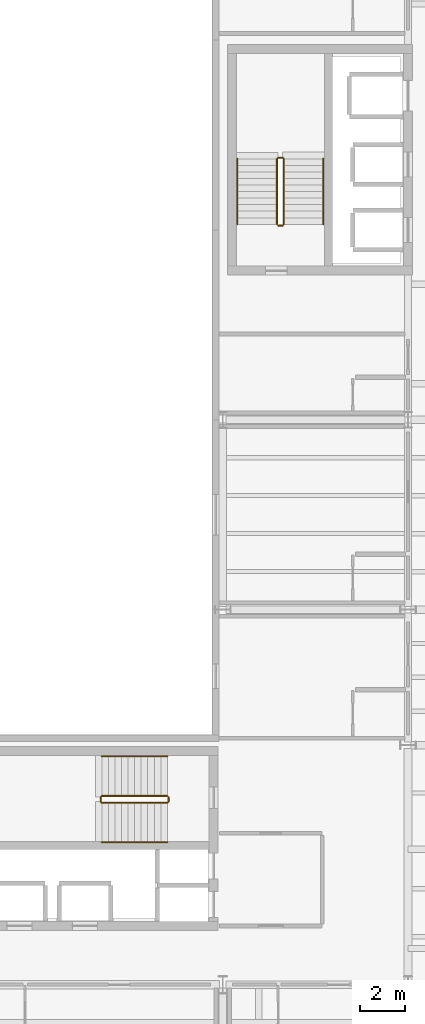
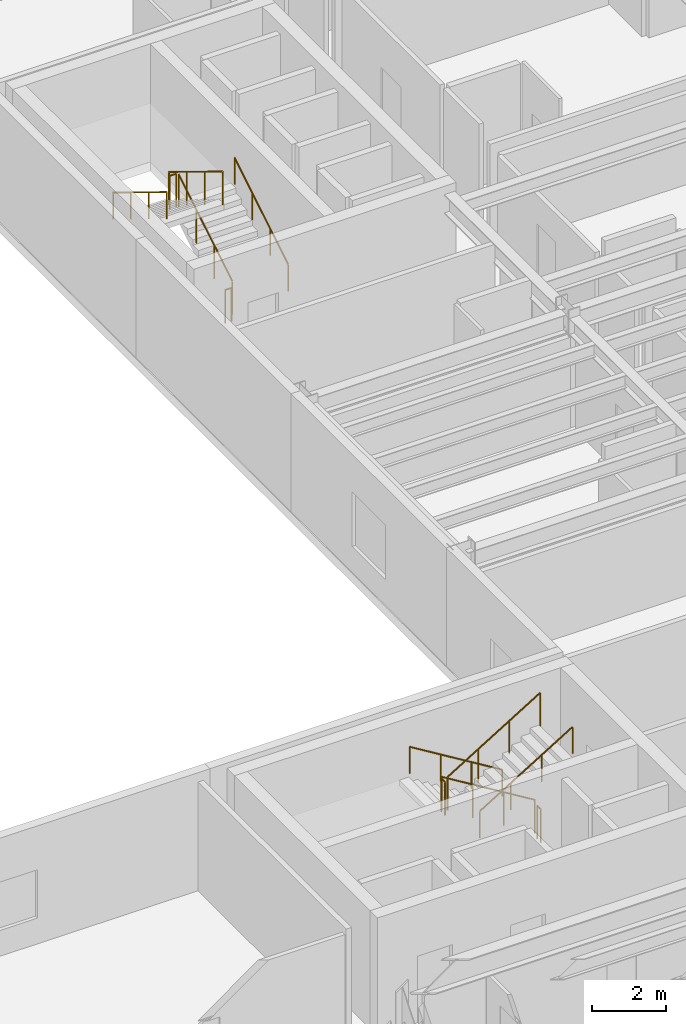
# One storey, part 59 of 59: 12 railings.
"""IFC4 building model written with IfcOpenShell, lengths in metres."""

from ifc_helpers import new_model, si_unit, direction, frame, origin, origin_2d, place, context, subcontext, project, spatial, circle, extrude, material, type_object, element, save


model = new_model("IFC4")

# Units and contexts
model_context = context("Model", 3, precision=1e-05, world=origin(), true_north=direction((0.0, 1.0)))
body_context = subcontext(model_context, "Body", "Model", "MODEL_VIEW")
ifc_project = project(units=[si_unit("LENGTHUNIT", "METRE"), si_unit("AREAUNIT", "SQUARE_METRE"), si_unit("VOLUMEUNIT", "CUBIC_METRE"), si_unit("PLANEANGLEUNIT", "RADIAN"), si_unit("MASSUNIT", "GRAM", prefix="KILO")], contexts=[model_context])

# Site, building, storey
site_placement = place(None, origin())
site = spatial("IfcSite", under=ifc_project, at=site_placement, CompositionType="ELEMENT")
building_placement = place(site_placement, origin())
building = spatial("IfcBuilding", under=site, at=building_placement, Name="Sollismere Congress Hotel", CompositionType="ELEMENT")
storey_placement = place(building_placement, frame((0.0, 0.0, 15.60009765625)))
storey = spatial("IfcBuildingStorey", under=building, at=storey_placement, Name="L03", CompositionType="ELEMENT", Elevation=15.60009765625)

# Railings
ifc_material_1 = material(Name="Steel ASTM A500 Grade C", Category="steel")
railing_type_1 = type_object("IfcRailingType", Name="RL-GRD112", PredefinedType="GUARDRAIL", material=ifc_material_1)
railing_1_placement = place(storey_placement, frame((144.75, 16.550048828125, 0.17724609375)))
element("IfcRailing", 1, at=railing_1_placement, inside=storey, type_object=railing_type_1, Name="RLG-RG-ST-01-L03-1", PredefinedType="GUARDRAIL", context=body_context, shape_type="SweptSolid", body=[
    extrude(circle(Radius=0.02392578125, at=origin_2d()), frame((0.0, 0.0, 1.09619140625), z_axis=(-0.853210801645, 0.0, 0.521566225858), x_axis=(0.0, -1.0, 0.0)), (0.0, 0.0, 1.0), 3.39892578125),
    extrude(circle(Radius=0.02099609375, at=origin_2d()), origin(), (0.0, 0.0, 1.0), 1.072021484375),
    extrude(circle(Radius=0.02099609375, at=origin_2d()), frame((-0.966552734375, 0.0, 0.5908203125)), (0.0, 0.0, 1.0), 1.072021484375),
    extrude(circle(Radius=0.02099609375, at=origin_2d()), frame((-1.933349609375, 0.0, 1.181884765625)), (0.0, 0.0, 1.0), 1.072021484375),
    extrude(circle(Radius=0.02099609375, at=origin_2d()), frame((-2.89990234375, 0.0, 1.772705078125)), (0.0, 0.0, 1.0), 1.072021484375),
])
railing_2_placement = place(storey_placement, frame((141.800048828125, 16.5, 1.949951171875)))
element("IfcRailing", 2, at=railing_2_placement, inside=storey, type_object=railing_type_1, Name="RLG-RG-ST-01-L03-2", PredefinedType="GUARDRAIL", context=body_context, shape_type="SweptSolid", body=[
    extrude(circle(Radius=0.02392578125, at=origin_2d()), frame((0.0, 0.0, 1.09619140625), z_axis=(0.0, -1.0, 0.0), x_axis=(1.0, 0.0, 0.0)), (0.0, 0.0, 1.0), 0.199951171875),
    extrude(circle(Radius=0.02099609375, at=origin_2d()), origin(), (0.0, 0.0, 1.0), 1.072021484375),
    extrude(circle(Radius=0.02099609375, at=origin_2d()), frame((0.0, -0.199951171875, 0.0)), (0.0, 0.0, 1.0), 1.072021484375),
])
railing_3_placement = place(storey_placement, frame((141.85009765625, 16.25, 2.127197265625)))
element("IfcRailing", 3, at=railing_3_placement, inside=storey, type_object=railing_type_1, Name="RLG-RG-ST-01-L03-3", PredefinedType="GUARDRAIL", context=body_context, shape_type="SweptSolid", body=[
    extrude(circle(Radius=0.02392578125, at=origin_2d()), frame((0.0, 0.0, 1.09619140625), z_axis=(0.853210801645, 0.0, 0.521566225858), x_axis=(0.0, 1.0, 0.0)), (0.0, 0.0, 1.0), 3.39892578125),
    extrude(circle(Radius=0.02099609375, at=origin_2d()), origin(), (0.0, 0.0, 1.0), 1.072021484375),
    extrude(circle(Radius=0.02099609375, at=origin_2d()), frame((0.966552734375, 0.0, 0.5908203125)), (0.0, 0.0, 1.0), 1.072021484375),
    extrude(circle(Radius=0.02099609375, at=origin_2d()), frame((1.933349609375, 0.0, 1.181884765625)), (0.0, 0.0, 1.0), 1.072021484375),
    extrude(circle(Radius=0.02099609375, at=origin_2d()), frame((2.89990234375, 0.0, 1.772705078125)), (0.0, 0.0, 1.0), 1.072021484375),
])
railing_4_placement = place(storey_placement, frame((144.800048828125, 16.5, 0.0)))
element("IfcRailing", 4, at=railing_4_placement, inside=storey, type_object=railing_type_1, Name="RLG-RG-ST-01-L03-4", PredefinedType="GUARDRAIL", context=body_context, shape_type="SweptSolid", body=[
    extrude(circle(Radius=0.02392578125, at=origin_2d()), frame((0.0, 0.0, 1.09619140625), z_axis=(0.0, -1.0, 0.0), x_axis=(1.0, 0.0, 0.0)), (0.0, 0.0, 1.0), 0.199951171875),
    extrude(circle(Radius=0.02099609375, at=origin_2d()), origin(), (0.0, 0.0, 1.0), 1.072021484375),
    extrude(circle(Radius=0.02099609375, at=origin_2d()), frame((0.0, -0.199951171875, 0.0)), (0.0, 0.0, 1.0), 1.072021484375),
])
railing_5_placement = place(storey_placement, frame((149.89990234375, 41.85009765625, 0.17724609375)))
element("IfcRailing", 5, at=railing_5_placement, inside=storey, type_object=railing_type_1, Name="RLG-RG-ST-03-L03-1", PredefinedType="GUARDRAIL", context=body_context, shape_type="SweptSolid", body=[
    extrude(circle(Radius=0.02392578125, at=origin_2d()), frame((0.0, 0.0, 1.09619140625), z_axis=(0.0, 0.853210801645, 0.521566225858), x_axis=(-1.0, 0.0, 0.0)), (0.0, 0.0, 1.0), 3.39892578125),
    extrude(circle(Radius=0.02099609375, at=origin_2d()), origin(), (0.0, 0.0, 1.0), 1.072021484375),
    extrude(circle(Radius=0.02099609375, at=origin_2d()), frame((0.0, 0.966552734375, 0.5908203125)), (0.0, 0.0, 1.0), 1.072021484375),
    extrude(circle(Radius=0.02099609375, at=origin_2d()), frame((0.0, 1.933349609375, 1.181884765625)), (0.0, 0.0, 1.0), 1.072021484375),
    extrude(circle(Radius=0.02099609375, at=origin_2d()), frame((0.0, 2.89990234375, 1.772705078125)), (0.0, 0.0, 1.0), 1.072021484375),
])
railing_6_placement = place(storey_placement, frame((149.85009765625, 44.800048828125, 1.949951171875)))
element("IfcRailing", 6, at=railing_6_placement, inside=storey, type_object=railing_type_1, Name="RLG-RG-ST-03-L03-2", PredefinedType="GUARDRAIL", context=body_context, shape_type="SweptSolid", body=[
    extrude(circle(Radius=0.02392578125, at=origin_2d()), frame((0.0, 0.0, 1.09619140625), z_axis=(-1.0, 0.0, 0.0), x_axis=(0.0, -1.0, 0.0)), (0.0, 0.0, 1.0), 0.2001953125),
    extrude(circle(Radius=0.02099609375, at=origin_2d()), origin(), (0.0, 0.0, 1.0), 1.072021484375),
    extrude(circle(Radius=0.02099609375, at=origin_2d()), frame((-0.2001953125, 0.0, 0.0)), (0.0, 0.0, 1.0), 1.072021484375),
])
railing_7_placement = place(storey_placement, frame((149.60009765625, 44.75, 2.127197265625)))
element("IfcRailing", 7, at=railing_7_placement, inside=storey, type_object=railing_type_1, Name="RLG-RG-ST-03-L03-3", PredefinedType="GUARDRAIL", context=body_context, shape_type="SweptSolid", body=[
    extrude(circle(Radius=0.02392578125, at=origin_2d()), frame((0.0, 0.0, 1.09619140625), z_axis=(0.0, -0.853210801645, 0.521566225858), x_axis=(1.0, 0.0, 0.0)), (0.0, 0.0, 1.0), 3.39892578125),
    extrude(circle(Radius=0.02099609375, at=origin_2d()), origin(), (0.0, 0.0, 1.0), 1.072021484375),
    extrude(circle(Radius=0.02099609375, at=origin_2d()), frame((0.0, -0.966552734375, 0.5908203125)), (0.0, 0.0, 1.0), 1.072021484375),
    extrude(circle(Radius=0.02099609375, at=origin_2d()), frame((0.0, -1.933349609375, 1.181884765625)), (0.0, 0.0, 1.0), 1.072021484375),
    extrude(circle(Radius=0.02099609375, at=origin_2d()), frame((0.0, -2.89990234375, 1.772705078125)), (0.0, 0.0, 1.0), 1.072021484375),
])
railing_8_placement = place(storey_placement, frame((149.85009765625, 41.800048828125, 0.0)))
element("IfcRailing", 8, at=railing_8_placement, inside=storey, type_object=railing_type_1, Name="RLG-RG-ST-03-L03-4", PredefinedType="GUARDRAIL", context=body_context, shape_type="SweptSolid", body=[
    extrude(circle(Radius=0.02392578125, at=origin_2d()), frame((0.0, 0.0, 1.09619140625), z_axis=(-1.0, 0.0, 0.0), x_axis=(0.0, -1.0, 0.0)), (0.0, 0.0, 1.0), 0.2001953125),
    extrude(circle(Radius=0.02099609375, at=origin_2d()), origin(), (0.0, 0.0, 1.0), 1.072021484375),
    extrude(circle(Radius=0.02099609375, at=origin_2d()), frame((-0.2001953125, 0.0, 0.0)), (0.0, 0.0, 1.0), 1.072021484375),
])
ifc_material_2 = material(Name="Brushed Architectural Bronze")
railing_type_2 = type_object("IfcRailingType", Name="RL-HND90", PredefinedType="HANDRAIL", material=ifc_material_2)
railing_9_placement = place(storey_placement, frame((144.75, 18.300048828125, 0.33056640625)))
element("IfcRailing", 9, at=railing_9_placement, inside=storey, type_object=railing_type_2, Name="RLG-RH-ST-01-L03-1", PredefinedType="HANDRAIL", context=body_context, shape_type="SweptSolid", body=[
    extrude(circle(Radius=0.02392578125, at=origin_2d()), frame((0.0, 0.0, 0.8759765625), z_axis=(-0.853210801645, 0.0, 0.521566225858), x_axis=(0.0, -1.0, 0.0)), (0.0, 0.0, 1.0), 3.39892578125),
    extrude(circle(Radius=0.02099609375, at=origin_2d()), origin(), (0.0, 0.0, 1.0), 0.851806640625),
    extrude(circle(Radius=0.02099609375, at=origin_2d()), frame((-0.966552734375, 0.0, 0.5908203125)), (0.0, 0.0, 1.0), 0.851806640625),
    extrude(circle(Radius=0.02099609375, at=origin_2d()), frame((-1.933349609375, 0.0, 1.181884765625)), (0.0, 0.0, 1.0), 0.851806640625),
    extrude(circle(Radius=0.02099609375, at=origin_2d()), frame((-2.89990234375, 0.0, 1.772705078125)), (0.0, 0.0, 1.0), 0.851806640625),
])
railing_10_placement = place(storey_placement, frame((141.85009765625, 14.5, 2.280517578125)))
element("IfcRailing", 10, at=railing_10_placement, inside=storey, type_object=railing_type_2, Name="RLG-RH-ST-01-L03-2", PredefinedType="HANDRAIL", context=body_context, shape_type="SweptSolid", body=[
    extrude(circle(Radius=0.02392578125, at=origin_2d()), frame((0.0, 0.0, 0.8759765625), z_axis=(0.853210801645, 0.0, 0.521566225858), x_axis=(0.0, 1.0, 0.0)), (0.0, 0.0, 1.0), 3.39892578125),
    extrude(circle(Radius=0.02099609375, at=origin_2d()), origin(), (0.0, 0.0, 1.0), 0.851806640625),
    extrude(circle(Radius=0.02099609375, at=origin_2d()), frame((0.966552734375, 0.0, 0.5908203125)), (0.0, 0.0, 1.0), 0.851806640625),
    extrude(circle(Radius=0.02099609375, at=origin_2d()), frame((1.933349609375, 0.0, 1.181884765625)), (0.0, 0.0, 1.0), 0.851806640625),
    extrude(circle(Radius=0.02099609375, at=origin_2d()), frame((2.89990234375, 0.0, 1.772705078125)), (0.0, 0.0, 1.0), 0.851806640625),
])
railing_11_placement = place(storey_placement, frame((151.64990234375, 41.85009765625, 0.33056640625)))
element("IfcRailing", 11, at=railing_11_placement, inside=storey, type_object=railing_type_2, Name="RLG-RH-ST-03-L03-1", PredefinedType="HANDRAIL", context=body_context, shape_type="SweptSolid", body=[
    extrude(circle(Radius=0.02392578125, at=origin_2d()), frame((0.0, 0.0, 0.8759765625), z_axis=(0.0, 0.853210801645, 0.521566225858), x_axis=(-1.0, 0.0, 0.0)), (0.0, 0.0, 1.0), 3.39892578125),
    extrude(circle(Radius=0.02099609375, at=origin_2d()), origin(), (0.0, 0.0, 1.0), 0.851806640625),
    extrude(circle(Radius=0.02099609375, at=origin_2d()), frame((0.0, 0.966552734375, 0.5908203125)), (0.0, 0.0, 1.0), 0.851806640625),
    extrude(circle(Radius=0.02099609375, at=origin_2d()), frame((0.0, 1.933349609375, 1.181884765625)), (0.0, 0.0, 1.0), 0.851806640625),
    extrude(circle(Radius=0.02099609375, at=origin_2d()), frame((0.0, 2.89990234375, 1.772705078125)), (0.0, 0.0, 1.0), 0.851806640625),
])
railing_12_placement = place(storey_placement, frame((147.85009765625, 44.75, 2.280517578125)))
element("IfcRailing", 12, at=railing_12_placement, inside=storey, type_object=railing_type_2, Name="RLG-RH-ST-03-L03-2", PredefinedType="HANDRAIL", context=body_context, shape_type="SweptSolid", body=[
    extrude(circle(Radius=0.02392578125, at=origin_2d()), frame((0.0, 0.0, 0.8759765625), z_axis=(0.0, -0.853210801645, 0.521566225858), x_axis=(1.0, 0.0, 0.0)), (0.0, 0.0, 1.0), 3.39892578125),
    extrude(circle(Radius=0.02099609375, at=origin_2d()), origin(), (0.0, 0.0, 1.0), 0.851806640625),
    extrude(circle(Radius=0.02099609375, at=origin_2d()), frame((0.0, -0.966552734375, 0.5908203125)), (0.0, 0.0, 1.0), 0.851806640625),
    extrude(circle(Radius=0.02099609375, at=origin_2d()), frame((0.0, -1.933349609375, 1.181884765625)), (0.0, 0.0, 1.0), 0.851806640625),
    extrude(circle(Radius=0.02099609375, at=origin_2d()), frame((0.0, -2.89990234375, 1.772705078125)), (0.0, 0.0, 1.0), 0.851806640625),
])

save(model, "model.ifc")
